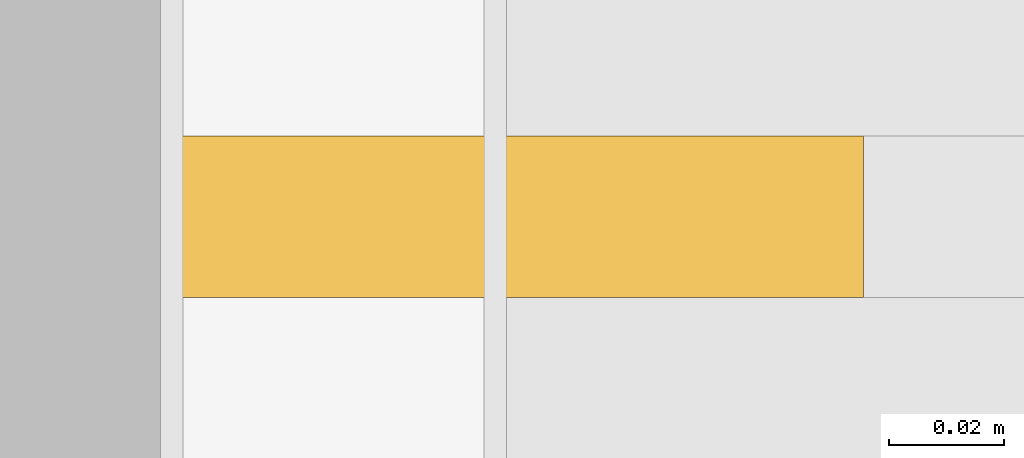
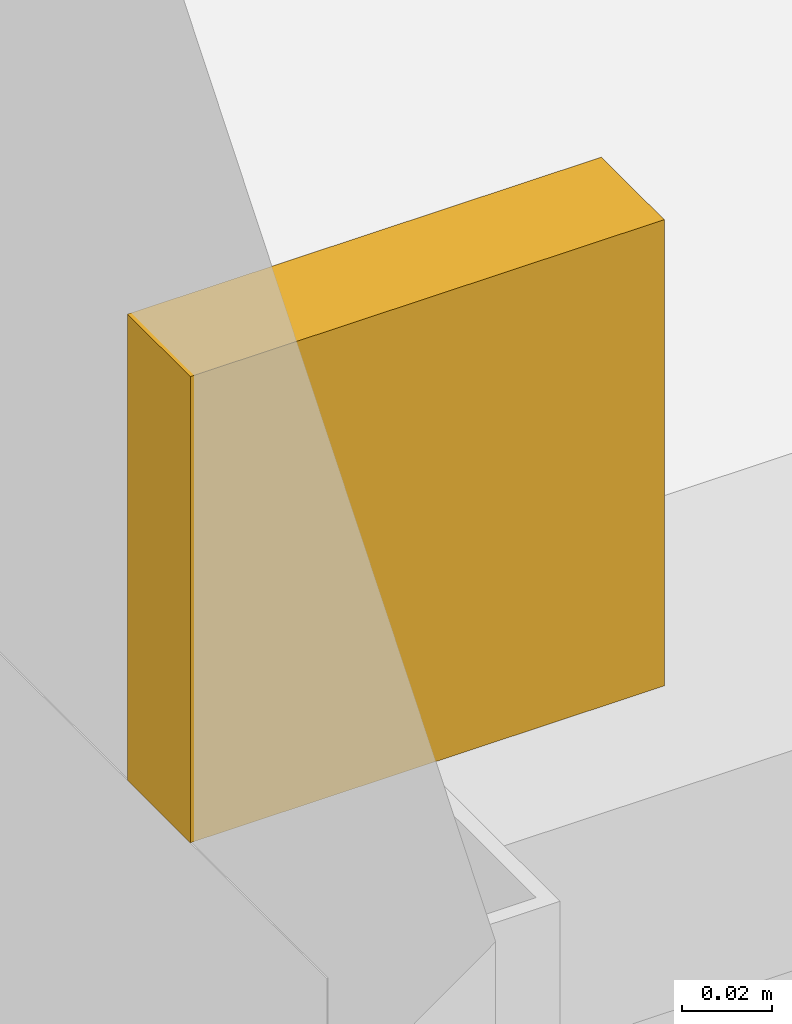
# One storey, part 128 of 130: 1 covering.
"""IFC4 building model written with IfcOpenShell, lengths in metres."""

import ifcopenshell
import ifcopenshell.guid

model = None  # the IFC model being written
_history = None  # IfcOwnerHistory: only IFC2X3 demands one
_inside = {}  # id of a spatial element -> (the spatial element, [elements in it])
_under = {}  # id of a project, library or spatial element -> (it, [spatial elements below it])
_declared = {}  # id of a project -> (the project, [libraries it declares])
_typed = {}  # id of a type object -> (the type object, [elements of that type])
_made_of = {}  # id of a material, layer set ... -> (it, [elements and type objects made of it])


def new_model(schema):
    """Start an empty IFC model of exactly this schema.

    Asked for "IFC4X3", IfcOpenShell would pick the latest addendum, in which some entities
    have other attributes; the version numbers below select the first issue.
    IFC2X3 requires an IfcOwnerHistory on every rooted entity: one is made here for all.
    """
    global model, _history
    if schema == "IFC4X3":
        model = ifcopenshell.file(schema_version=(4, 3, 0, 0))
    else:
        model = ifcopenshell.file(schema=schema)
    _inside.clear()
    _under.clear()
    _declared.clear()
    _typed.clear()
    _made_of.clear()
    _history = None
    if model.schema == "IFC2X3":
        org = make("IfcOrganization", Name="unknown")
        user = make(
            "IfcPersonAndOrganization",
            ThePerson=make("IfcPerson", FamilyName="unknown"),
            TheOrganization=org,
        )
        app = make(
            "IfcApplication",
            ApplicationDeveloper=org,
            Version="unknown",
            ApplicationFullName="unknown",
            ApplicationIdentifier="unknown",
        )
        _history = make(
            "IfcOwnerHistory",
            OwningUser=user,
            OwningApplication=app,
            ChangeAction="ADDED",
            CreationDate=0,
        )
    return model


def make(cls, **values):
    """One entity of the class cls with the attributes given. An attribute that is None is left unset."""
    return model.create_entity(
        cls, **{name: value for name, value in values.items() if value is not None}
    )


def rooted(cls, **values):
    """An entity with a GlobalId (a new one), such as an element, a storey or a relation."""
    return make(cls, GlobalId=ifcopenshell.guid.new(), OwnerHistory=_history, **values)


def si_unit(unit_type, name, prefix=None):
    """IfcSIUnit, for example si_unit("LENGTHUNIT", "METRE", prefix="MILLI")."""
    return make("IfcSIUnit", UnitType=unit_type, Prefix=prefix, Name=name)


def assignment(units):
    """IfcUnitAssignment: the units of a project."""
    return None if units is None else make("IfcUnitAssignment", Units=units)


def point(xyz):
    """IfcCartesianPoint."""
    return None if xyz is None else make("IfcCartesianPoint", Coordinates=xyz)


def direction(xyz):
    """IfcDirection."""
    return None if xyz is None else make("IfcDirection", DirectionRatios=xyz)


def frame(location, z_axis=None, x_axis=None):
    """IfcAxis2Placement3D, a coordinate frame: its origin and axes. An axis left out is left unset."""
    return make(
        "IfcAxis2Placement3D",
        Location=point(location),
        Axis=direction(z_axis),
        RefDirection=direction(x_axis),
    )


def frame_2d(location, x_axis=None):
    """IfcAxis2Placement2D, a coordinate frame in the plane: its origin and x axis."""
    return make(
        "IfcAxis2Placement2D", Location=point(location), RefDirection=direction(x_axis)
    )


def origin():
    """The frame at (0, 0, 0) with its axes left unset."""
    return frame((0.0, 0.0, 0.0))


def origin_2d():
    """The frame at (0, 0) in the plane with its x axis left unset."""
    return frame_2d((0.0, 0.0))


def place(relative_to, where):
    """IfcLocalPlacement: puts the frame where relative to a parent placement (None: the world)."""
    return make(
        "IfcLocalPlacement", PlacementRelTo=relative_to, RelativePlacement=where
    )


def context(
    kind, dimensions, precision=None, world=None, true_north=None, identifier=None
):
    """IfcGeometricRepresentationContext, for example the 3D "Model" context."""
    return make(
        "IfcGeometricRepresentationContext",
        ContextIdentifier=identifier,
        ContextType=kind,
        CoordinateSpaceDimension=dimensions,
        Precision=precision,
        WorldCoordinateSystem=world,
        TrueNorth=true_north,
    )


def subcontext(parent, identifier, kind, view, scale=None):
    """IfcGeometricRepresentationSubContext, for example "Body" below "Model"."""
    return make(
        "IfcGeometricRepresentationSubContext",
        ContextIdentifier=identifier,
        ContextType=kind,
        ParentContext=parent,
        TargetScale=scale,
        TargetView=view,
    )


def project(units=None, contexts=None):
    """IfcProject with its units and contexts."""
    return rooted(
        "IfcProject",
        Name="project",
        RepresentationContexts=contexts,
        UnitsInContext=assignment(units),
    )


def spatial(cls, under=None, at=None, **own):
    """A site, building, storey or space (cls), placed at a placement, below another one or the project."""
    s = rooted(cls, ObjectPlacement=at, **own)
    if under is not None:
        _under.setdefault(under.id(), (under, []))[1].append(s)
    return s


def profile(cls, at=None, kind="AREA", **sizes):
    """A parametric profile (cls). Its sizes go by their IFC names, for example OverallWidth=200.0."""
    return make(cls, ProfileType=kind, Position=at, **sizes)


def rectangle(**sizes):
    """IfcRectangleProfileDef."""
    return profile("IfcRectangleProfileDef", **sizes)


def extrude(swept, where, along, depth):
    """IfcExtrudedAreaSolid: the profile swept, set in the frame where, extruded along a direction by depth."""
    return make(
        "IfcExtrudedAreaSolid",
        SweptArea=swept,
        Position=where,
        ExtrudedDirection=direction(along),
        Depth=depth,
    )


def shape(context_of_items, identifier, shape_type, items):
    """IfcShapeRepresentation: the items that make up one representation, for example the "Body"."""
    return make(
        "IfcShapeRepresentation",
        ContextOfItems=context_of_items,
        RepresentationIdentifier=identifier,
        RepresentationType=shape_type,
        Items=items,
    )


def material(Name=None, Category=None):
    """IfcMaterial."""
    return make("IfcMaterial", Name=Name, Category=Category)


def layer(
    of_material, thickness, ventilated=None, Name=None, Category=None, Priority=None
):
    """IfcMaterialLayer: one layer of a wall or slab, of a material (None: an air gap)."""
    return make(
        "IfcMaterialLayer",
        Material=of_material,
        LayerThickness=thickness,
        IsVentilated=ventilated,
        Name=Name,
        Category=Category,
        Priority=Priority,
    )


def layer_set(layers, Name=None):
    """IfcMaterialLayerSet."""
    return make("IfcMaterialLayerSet", MaterialLayers=layers, LayerSetName=Name)


def made_of(thing, what):
    """Note that an element or type object is made of a material, layer set ...; save() writes the relation."""
    if what is not None:
        _made_of.setdefault(what.id(), (what, []))[1].append(thing)
    return thing


def type_object(cls, material=None, **own):
    """A type object (cls), such as IfcWallType, which elements share."""
    return made_of(rooted(cls, **own), material)


def element(
    cls,
    number,
    at=None,
    inside=None,
    cuts=None,
    type_object=None,
    material=None,
    context=None,
    identifier="Body",
    shape_type=None,
    held_by="IfcProductDefinitionShape",
    body=None,
    shapes=None,
    **own,
):
    """One element of the class cls, such as IfcWall. Its Tag is "e" and its number.

    at: its placement. inside: the storey or other place that contains it. cuts: it is an
    opening in that element (IfcRelVoidsElement). A single representation is given by context,
    identifier, shape_type and body (its items); several are given by shapes. held_by: the class
    of the entity that holds the representations. save() writes the other relations.
    """
    e = rooted(cls, Tag="e%d" % number, ObjectPlacement=at, **own)
    if body is not None:
        shapes = [shape(context, identifier, shape_type, body)]
    if shapes is not None:
        e.Representation = make(held_by, Representations=shapes)
    if inside is not None:
        _inside.setdefault(inside.id(), (inside, []))[1].append(e)
    if cuts is not None:
        rooted(
            "IfcRelVoidsElement", RelatingBuildingElement=cuts, RelatedOpeningElement=e
        )
    if type_object is not None:
        _typed.setdefault(type_object.id(), (type_object, []))[1].append(e)
    return made_of(e, material)


def aggregate(whole, parts):
    """IfcRelAggregates: a whole, such as a stair, and the parts it consists of."""
    return rooted("IfcRelAggregates", RelatingObject=whole, RelatedObjects=parts)


def save(model, path):
    """Write the relations noted so far, then the file.

    IfcRelAggregates (storeys below a building ...), IfcRelContainedInSpatialStructure (elements
    in a storey), IfcRelDefinesByType, IfcRelAssociatesMaterial and IfcRelDeclares: one each for
    every whole, place, type object, material and project.
    """
    for whole, parts in _under.values():
        aggregate(whole, parts)
    for where, things in _inside.values():
        rooted(
            "IfcRelContainedInSpatialStructure",
            RelatedElements=things,
            RelatingStructure=where,
        )
    for kind, things in _typed.values():
        rooted("IfcRelDefinesByType", RelatedObjects=things, RelatingType=kind)
    for what, things in _made_of.values():
        rooted("IfcRelAssociatesMaterial", RelatedObjects=things, RelatingMaterial=what)
    for by, libraries in _declared.values():
        rooted("IfcRelDeclares", RelatingContext=by, RelatedDefinitions=libraries)
    model.write(path)


model = new_model("IFC4")

# Units and contexts
model_context = context("Model", 3, precision=1e-05, world=origin(), true_north=direction((0.0, 1.0)))
body_context = subcontext(model_context, "Body", "Model", "MODEL_VIEW")
ifc_project = project(units=[si_unit("LENGTHUNIT", "METRE"), si_unit("AREAUNIT", "SQUARE_METRE"), si_unit("VOLUMEUNIT", "CUBIC_METRE"), si_unit("PLANEANGLEUNIT", "RADIAN"), si_unit("MASSUNIT", "GRAM", prefix="KILO")], contexts=[model_context])

# Site, building, storey
site_placement = place(None, origin())
site = spatial("IfcSite", under=ifc_project, at=site_placement, CompositionType="ELEMENT")
building_placement = place(site_placement, origin())
building = spatial("IfcBuilding", under=site, at=building_placement, Name="Parallax Yard Mobility Hub", CompositionType="ELEMENT")
storey_placement = place(building_placement, origin())
storey = spatial("IfcBuildingStorey", under=building, at=storey_placement, Name="L00", CompositionType="ELEMENT", Elevation=0.0)

# Covering
ifc_material = material(Name="Insulated aluminium spandrel panel", Category="aluminium")
ifc_layer = layer(ifc_material, 0.028076171875)
ifc_layer_set = layer_set([ifc_layer], Name="Curtain wall spandrel closer, insulated aluminium 28")
covering_type = type_object("IfcCoveringType", Name="Curtain wall spandrel closer, insulated aluminium 28", PredefinedType="CLADDING", material=ifc_layer_set)
covering_placement = place(storey_placement, frame((147.31494140625, 112.800048828125, 2.5), z_axis=(0.0, 0.0, 1.0), x_axis=(1.0, 0.0, 0.0)))
element("IfcCovering", 1, at=covering_placement, inside=storey, type_object=covering_type, Name="Curtain wall CW19 level L00 bay 14 spandrel closer 1", ObjectType="SCREEN", PredefinedType="CLADDING", context=body_context, shape_type="SweptSolid", body=[
    extrude(rectangle(XDim=0.1220703125, YDim=0.028076171875, at=origin_2d()), origin(), (0.0, 0.0, 1.0), 0.126953125),
])

save(model, "model.ifc")
